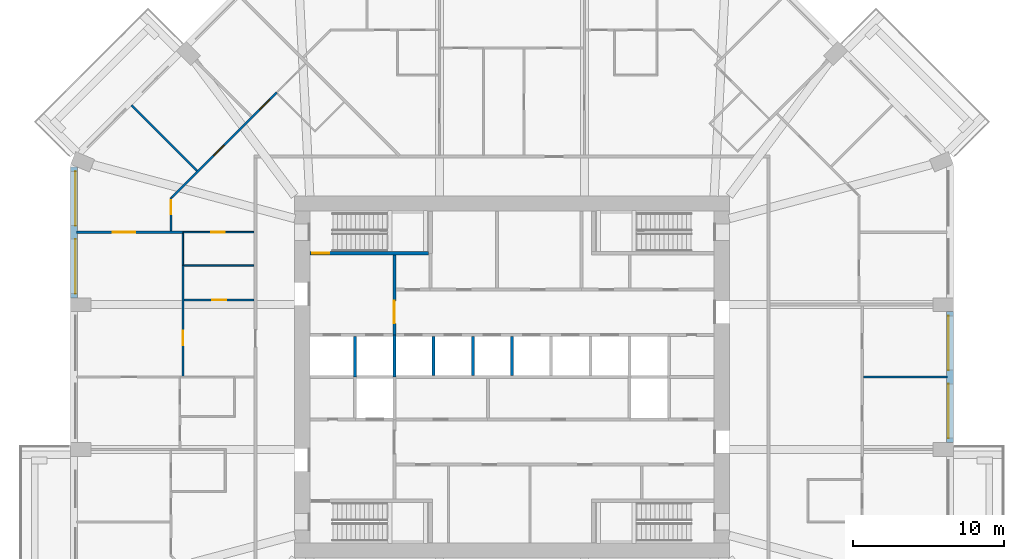
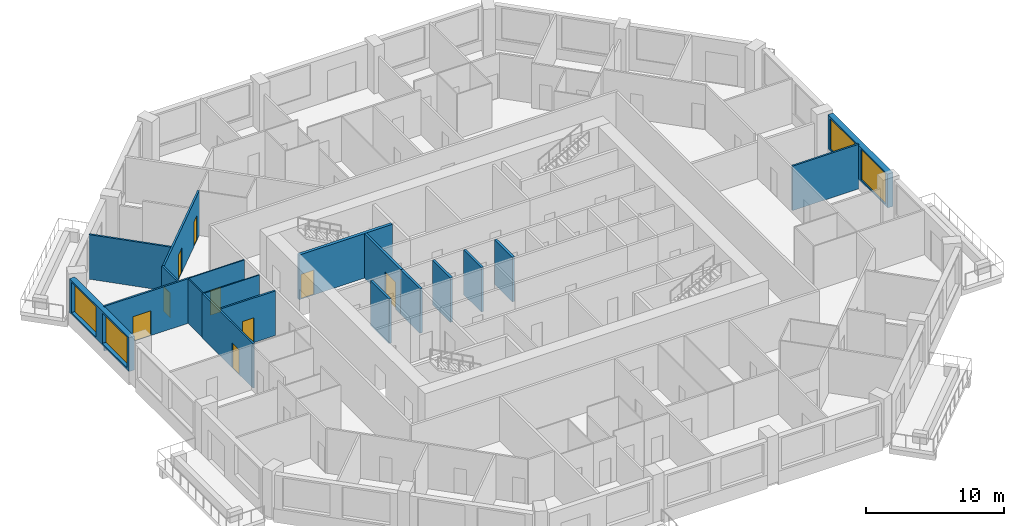
# One storey, part 7 of 13: 19 walls, 9 doors, 4 windows, 13 openings.
"""IFC4 building model written with IfcOpenShell, lengths in metres."""

from ifc_helpers import new_model, si_unit, direction, frame, frame_2d, origin, place, context, subcontext, project, spatial, rectangle, extrude, material, layer, layer_set, type_object, element, fill, save


model = new_model("IFC4")

# Units and contexts
model_context = context("Model", 3, precision=1e-05, world=origin(), true_north=direction((0.0, 1.0)))
body_context = subcontext(model_context, "Body", "Model", "MODEL_VIEW")
ifc_project = project(units=[si_unit("LENGTHUNIT", "METRE"), si_unit("AREAUNIT", "SQUARE_METRE"), si_unit("VOLUMEUNIT", "CUBIC_METRE"), si_unit("PLANEANGLEUNIT", "RADIAN"), si_unit("MASSUNIT", "GRAM", prefix="KILO")], contexts=[model_context])

# Site, building, storey
site_placement = place(None, origin())
site = spatial("IfcSite", under=ifc_project, at=site_placement, CompositionType="ELEMENT")
building_placement = place(site_placement, origin())
building = spatial("IfcBuilding", under=site, at=building_placement, Name="Msitu Wima Residences", CompositionType="ELEMENT")
storey_placement = place(building_placement, frame((0.0, 0.0, 88.5)))
storey = spatial("IfcBuildingStorey", under=building, at=storey_placement, Name="L20", CompositionType="ELEMENT", Elevation=88.5)

# Wall, openings, windows
ifc_material_1 = material(Name="Brick (red buff mix)", Category="masonry")
ifc_layer_1 = layer(ifc_material_1, 0.449951171875)
ifc_layer_set_1 = layer_set([ifc_layer_1], Name="Brick (red buff mix)")
wall_type_1 = type_object("IfcWallType", Name="Brick infill wall BW450", PredefinedType="SOLIDWALL", material=ifc_layer_set_1)
wall_1_placement = place(storey_placement, frame((29.02490234375, -4.35009765625, 0.89990234375), z_axis=(0.0, 0.0, 1.0), x_axis=(0.0, 1.0, 0.0)))
wall_1 = element("IfcWall", 1, at=wall_1_placement, inside=storey, type_object=wall_type_1, Name="Brick infill wall L20 E1", PredefinedType="SOLIDWALL", context=body_context, shape_type="SweptSolid", body=[
    extrude(rectangle(XDim=8.7001953125, YDim=0.449951171875, at=frame_2d((4.35009765625, 0.0))), origin(), (0.0, 0.0, 1.0), 3.0),
])
opening_1_placement = place(wall_1_placement, frame((0.300048828125, 0.0, 0.14990234375)))
opening_1 = element("IfcOpeningElement", 2, at=opening_1_placement, cuts=wall_1, Name="Opening W18-20.002", PredefinedType="OPENING", context=body_context, shape_type="SweptSolid", body=[
    extrude(rectangle(XDim=3.60009765625, YDim=2.699951171875, at=frame_2d((1.800048828125, 1.35009765625))), frame((0.0, 0.23486328125, 0.0), z_axis=(0.0, -1.0, 0.0), x_axis=(1.0, 0.0, 0.0)), (0.0, 0.0, 1.0), 0.469970703125),
])
opening_2_placement = place(wall_1_placement, frame((4.800048828125, 0.0, 0.14990234375)))
opening_2 = element("IfcOpeningElement", 3, at=opening_2_placement, cuts=wall_1, Name="Opening W18-20.003", PredefinedType="OPENING", context=body_context, shape_type="SweptSolid", body=[
    extrude(rectangle(XDim=3.60009765625, YDim=2.699951171875, at=frame_2d((1.800048828125, 1.35009765625))), frame((0.0, 0.23486328125, 0.0), z_axis=(0.0, -1.0, 0.0), x_axis=(1.0, 0.0, 0.0)), (0.0, 0.0, 1.0), 0.469970703125),
])
ifc_material_2 = material(Name="Anodised aluminium, bronze finish, clear low-emissivity double glazing", Category="aluminium")
window_type = type_object("IfcWindowType", Name="Window W3600x2700", PartitioningType="DOUBLE_PANEL_VERTICAL", PredefinedType="WINDOW", material=ifc_material_2)
window_1_placement = place(opening_1_placement, origin())
window_1 = element("IfcWindow", 4, at=window_1_placement, inside=storey, type_object=window_type, Name="Window L20 E1.1", OverallHeight=2.699951171875, OverallWidth=3.60009765625, PartitioningType="SINGLE_PANEL", PredefinedType="WINDOW", context=body_context, shape_type="SweptSolid", body=[
    extrude(rectangle(XDim=3.60009765625, YDim=2.699951171875, at=frame_2d((1.800048828125, 1.35009765625))), frame((0.0, 0.135009765625, 0.0), z_axis=(0.0, -1.0, 0.0), x_axis=(1.0, 0.0, 0.0)), (0.0, 0.0, 1.0), 0.06005859375),
])
fill(opening_1, window_1)
window_2_placement = place(opening_2_placement, origin())
window_2 = element("IfcWindow", 5, at=window_2_placement, inside=storey, type_object=window_type, Name="Window L20 E1.2", OverallHeight=2.699951171875, OverallWidth=3.60009765625, PartitioningType="SINGLE_PANEL", PredefinedType="WINDOW", context=body_context, shape_type="SweptSolid", body=[
    extrude(rectangle(XDim=3.60009765625, YDim=2.699951171875, at=frame_2d((1.800048828125, 1.35009765625))), frame((0.0, 0.135009765625, 0.0), z_axis=(0.0, -1.0, 0.0), x_axis=(1.0, 0.0, 0.0)), (0.0, 0.0, 1.0), 0.06005859375),
])
fill(opening_2, window_2)

wall_2_placement = place(storey_placement, frame((-29.02490234375, 13.912841796875, 0.89990234375), z_axis=(0.0, 0.0, 1.0), x_axis=(0.0, -1.0, 0.0)))
wall_2 = element("IfcWall", 6, at=wall_2_placement, inside=storey, type_object=wall_type_1, Name="Brick infill wall L20 W0", PredefinedType="SOLIDWALL", context=body_context, shape_type="SweptSolid", body=[
    extrude(rectangle(XDim=8.662841796875, YDim=0.449951171875, at=frame_2d((4.33154296875, 0.0))), origin(), (0.0, 0.0, 1.0), 3.0),
])
opening_3_placement = place(wall_2_placement, frame((0.281494140625, 0.0, 0.14990234375)))
opening_3 = element("IfcOpeningElement", 7, at=opening_3_placement, cuts=wall_2, Name="Opening W18-20.029", PredefinedType="OPENING", context=body_context, shape_type="SweptSolid", body=[
    extrude(rectangle(XDim=3.60009765625, YDim=2.699951171875, at=frame_2d((1.800048828125, 1.35009765625))), frame((0.0, 0.23486328125, 0.0), z_axis=(0.0, -1.0, 0.0), x_axis=(1.0, 0.0, 0.0)), (0.0, 0.0, 1.0), 0.469970703125),
])
opening_4_placement = place(wall_2_placement, frame((4.781494140625, 0.0, 0.14990234375)))
opening_4 = element("IfcOpeningElement", 8, at=opening_4_placement, cuts=wall_2, Name="Opening W18-20.030", PredefinedType="OPENING", context=body_context, shape_type="SweptSolid", body=[
    extrude(rectangle(XDim=3.60009765625, YDim=2.699951171875, at=frame_2d((1.800048828125, 1.35009765625))), frame((0.0, 0.23486328125, 0.0), z_axis=(0.0, -1.0, 0.0), x_axis=(1.0, 0.0, 0.0)), (0.0, 0.0, 1.0), 0.469970703125),
])
window_3_placement = place(opening_3_placement, origin())
window_3 = element("IfcWindow", 9, at=window_3_placement, inside=storey, type_object=window_type, Name="Window L20 W0.1", OverallHeight=2.699951171875, OverallWidth=3.60009765625, PartitioningType="SINGLE_PANEL", PredefinedType="WINDOW", context=body_context, shape_type="SweptSolid", body=[
    extrude(rectangle(XDim=3.60009765625, YDim=2.699951171875, at=frame_2d((1.800048828125, 1.35009765625))), frame((0.0, 0.135009765625, 0.0), z_axis=(0.0, -1.0, 0.0), x_axis=(1.0, 0.0, 0.0)), (0.0, 0.0, 1.0), 0.06005859375),
])
fill(opening_3, window_3)
window_4_placement = place(opening_4_placement, origin())
window_4 = element("IfcWindow", 10, at=window_4_placement, inside=storey, type_object=window_type, Name="Window L20 W0.2", OverallHeight=2.699951171875, OverallWidth=3.60009765625, PartitioningType="SINGLE_PANEL", PredefinedType="WINDOW", context=body_context, shape_type="SweptSolid", body=[
    extrude(rectangle(XDim=3.60009765625, YDim=2.699951171875, at=frame_2d((1.800048828125, 1.35009765625))), frame((0.0, 0.135009765625, 0.0), z_axis=(0.0, -1.0, 0.0), x_axis=(1.0, 0.0, 0.0)), (0.0, 0.0, 1.0), 0.06005859375),
])
fill(opening_4, window_4)

# Wall, opening, door
ifc_material_3 = material(Name="Plaster")
ifc_layer_2 = layer(ifc_material_3, 0.011962890625, Name="Plaster")
ifc_material_4 = material(Name="Concrete blockwork", Category="masonry")
ifc_layer_3 = layer(ifc_material_4, 0.176025390625, Name="Concrete blockwork")
ifc_layer_4 = layer(ifc_material_3, 0.011962890625, Name="Plaster")
ifc_layer_set_2 = layer_set([ifc_layer_2, ifc_layer_3, ifc_layer_4], Name="Concrete blockwork")
wall_type_2 = type_object("IfcWallType", Name="Corridor wall FW200", PredefinedType="PARTITIONING", material=ifc_layer_set_2)
wall_3_placement = place(storey_placement, frame((-7.800048828125, 2.800048828125, 0.0), z_axis=(0.0, 0.0, 1.0), x_axis=(0.0, 1.0, 0.0)))
wall_3 = element("IfcWall", 11, at=wall_3_placement, inside=storey, type_object=wall_type_2, Name="Corridor wall", PredefinedType="PARTITIONING", context=body_context, shape_type="SweptSolid", body=[
    extrude(rectangle(XDim=5.27490234375, YDim=0.199951171875, at=frame_2d((2.637451171875, 0.0))), origin(), (0.0, 0.0, 1.0), 3.949951171875),
])
opening_5_placement = place(wall_3_placement, frame((0.75, 0.0, 0.0)))
opening_5 = element("IfcOpeningElement", 12, at=opening_5_placement, cuts=wall_3, Name="Opening D18-20.013", PredefinedType="OPENING", context=body_context, shape_type="SweptSolid", body=[
    extrude(rectangle(XDim=1.5, YDim=2.39990234375, at=frame_2d((0.75, 1.199951171875))), frame((0.0, 0.10986328125, 0.0), z_axis=(0.0, -1.0, 0.0), x_axis=(1.0, 0.0, 0.0)), (0.0, 0.0, 1.0), 0.219970703125),
])
ifc_material_5 = material(Name="Steel framed glazed door, fire resisting", Category="steel")
door_type_1 = type_object("IfcDoorType", Name="Lobby door D07 1500x2400", OperationType="DOUBLE_DOOR_SINGLE_SWING", PredefinedType="DOOR", material=ifc_material_5)
door_1_placement = place(opening_5_placement, origin())
door_1 = element("IfcDoor", 13, at=door_1_placement, inside=storey, type_object=door_type_1, Name="Lobby door", OperationType="DOUBLE_DOOR_SINGLE_SWING", OverallHeight=2.39990234375, OverallWidth=1.5, PredefinedType="DOOR", context=body_context, shape_type="SweptSolid", body=[
    extrude(rectangle(XDim=1.5, YDim=2.39990234375, at=frame_2d((0.75, 1.199951171875))), frame((0.0, 0.02490234375, 0.0), z_axis=(0.0, -1.0, 0.0), x_axis=(1.0, 0.0, 0.0)), (0.0, 0.0, 1.0), 0.050048828125),
])
fill(opening_5, door_1)

ifc_layer_5 = layer(ifc_material_3, 0.011962890625, Name="Plaster")
ifc_layer_6 = layer(ifc_material_4, 0.1259765625, Name="Concrete blockwork")
ifc_layer_7 = layer(ifc_material_3, 0.011962890625, Name="Plaster")
ifc_layer_set_3 = layer_set([ifc_layer_5, ifc_layer_6, ifc_layer_7], Name="Concrete blockwork")
wall_type_3 = type_object("IfcWallType", Name="Partition PW150", PredefinedType="PARTITIONING", material=ifc_layer_set_3)
wall_4_placement = place(storey_placement, frame((-28.85498046875, 9.60009765625, 0.0), z_axis=(0.0, 0.0, 1.0), x_axis=(1.0, 0.0, 0.0)))
wall_4 = element("IfcWall", 14, at=wall_4_placement, inside=storey, type_object=wall_type_3, Name="Partition", PredefinedType="PARTITIONING", context=body_context, shape_type="SweptSolid", body=[
    extrude(rectangle(XDim=7.074951171875, YDim=0.14990234375, at=frame_2d((3.53759765625, 0.0))), origin(), (0.0, 0.0, 1.0), 3.949951171875),
])
opening_6_placement = place(wall_4_placement, frame((2.39990234375, 0.0, 0.0)))
opening_6 = element("IfcOpeningElement", 15, at=opening_6_placement, cuts=wall_4, Name="Opening D18-20.047", PredefinedType="OPENING", context=body_context, shape_type="SweptSolid", body=[
    extrude(rectangle(XDim=1.5, YDim=2.199951171875, at=frame_2d((0.75, 1.10009765625))), frame((0.0, 0.0849609375, 0.0), z_axis=(0.0, -1.0, 0.0), x_axis=(1.0, 0.0, 0.0)), (0.0, 0.0, 1.0), 0.169921875),
])
ifc_material_6 = material(Name="Timber double door", Category="wood")
door_type_2 = type_object("IfcDoorType", Name="Double door D04 1500x2200", OperationType="DOUBLE_DOOR_SINGLE_SWING", PredefinedType="DOOR", material=ifc_material_6)
door_2_placement = place(opening_6_placement, origin())
door_2 = element("IfcDoor", 16, at=door_2_placement, inside=storey, type_object=door_type_2, Name="Double door", OperationType="DOUBLE_DOOR_SINGLE_SWING", OverallHeight=2.199951171875, OverallWidth=1.5, PredefinedType="DOOR", context=body_context, shape_type="SweptSolid", body=[
    extrude(rectangle(XDim=1.5, YDim=2.199951171875, at=frame_2d((0.75, 1.10009765625))), frame((0.0, 0.02490234375, 0.0), z_axis=(0.0, -1.0, 0.0), x_axis=(1.0, 0.0, 0.0)), (0.0, 0.0, 1.0), 0.050048828125),
])
fill(opening_6, door_2)

# Wall
wall_5_placement = place(storey_placement, frame((-25.2177734375, 18.017578125, 0.0), z_axis=(0.0, 0.0, 1.0), x_axis=(0.707126629519, -0.707086932297, 0.0)))
element("IfcWall", 17, at=wall_5_placement, inside=storey, type_object=wall_type_3, Name="Partition", PredefinedType="PARTITIONING", context=body_context, shape_type="SweptSolid", body=[
    extrude(rectangle(XDim=6.150146484375, YDim=0.14990234375, at=frame_2d((3.0751953125, 0.0))), origin(), (0.0, 0.0, 1.0), 3.949951171875),
])

# Wall, opening, door
wall_6_placement = place(storey_placement, frame((-22.60009765625, 9.675048828125, 0.0), z_axis=(0.0, 0.0, 1.0), x_axis=(0.0, 1.0, 0.0)))
wall_6 = element("IfcWall", 18, at=wall_6_placement, inside=storey, type_object=wall_type_3, Name="Partition", PredefinedType="PARTITIONING", context=body_context, shape_type="SweptSolid", body=[
    extrude(rectangle(XDim=2.23193359375, YDim=0.14990234375, at=frame_2d((1.115966796875, 0.0))), origin(), (0.0, 0.0, 1.0), 3.949951171875),
])
opening_7_placement = place(wall_6_placement, frame((1.10009765625, 0.0, 0.0)))
opening_7 = element("IfcOpeningElement", 19, at=opening_7_placement, cuts=wall_6, Name="Opening D18-20.049", PredefinedType="OPENING", context=body_context, shape_type="SweptSolid", body=[
    extrude(rectangle(XDim=0.949951171875, YDim=2.199951171875, at=frame_2d((0.47509765625, 1.10009765625))), frame((0.0, 0.0849609375, 0.0), z_axis=(0.0, -1.0, 0.0), x_axis=(1.0, 0.0, 0.0)), (0.0, 0.0, 1.0), 0.169921875),
])
ifc_material_7 = material(Name="Timber flush door", Category="wood")
door_type_3 = type_object("IfcDoorType", Name="Room door D12 950x2200", OperationType="SINGLE_SWING_LEFT", PredefinedType="DOOR", material=ifc_material_7)
door_3_placement = place(opening_7_placement, origin())
door_3 = element("IfcDoor", 20, at=door_3_placement, inside=storey, type_object=door_type_3, Name="Room door", OperationType="SINGLE_SWING_LEFT", OverallHeight=2.199951171875, OverallWidth=0.949951171875, PredefinedType="DOOR", context=body_context, shape_type="SweptSolid", body=[
    extrude(rectangle(XDim=0.949951171875, YDim=2.199951171875, at=frame_2d((0.47509765625, 1.10009765625))), frame((0.0, 0.02490234375, 0.0), z_axis=(0.0, -1.0, 0.0), x_axis=(1.0, 0.0, 0.0)), (0.0, 0.0, 1.0), 0.050048828125),
])
fill(opening_7, door_3)

# Wall, openings, doors
wall_7_placement = place(storey_placement, frame((-22.546875, 11.885009765625, 0.0), z_axis=(0.0, 0.0, 1.0), x_axis=(0.707106781187, 0.707106781187, 0.0)))
wall_7 = element("IfcWall", 21, at=wall_7_placement, inside=storey, type_object=wall_type_3, Name="Partition", PredefinedType="PARTITIONING", context=body_context, shape_type="SweptSolid", body=[
    extrude(rectangle(XDim=9.85009765625, YDim=0.14990234375, at=frame_2d((4.925048828125, 0.0))), origin(), (0.0, 0.0, 1.0), 3.949951171875),
])
opening_8_placement = place(wall_7_placement, frame((3.949951171875, 0.0, 0.0)))
opening_8 = element("IfcOpeningElement", 22, at=opening_8_placement, cuts=wall_7, Name="Opening D18-20.050", PredefinedType="OPENING", context=body_context, shape_type="SweptSolid", body=[
    extrude(rectangle(XDim=0.949951171875, YDim=2.199951171875, at=frame_2d((0.47509765625, 1.10009765625))), frame((0.0, 0.0849609375, 0.0), z_axis=(0.0, -1.0, 0.0), x_axis=(1.0, 0.0, 0.0)), (0.0, 0.0, 1.0), 0.169921875),
])
opening_9_placement = place(wall_7_placement, frame((8.25, 0.0, 0.0)))
opening_9 = element("IfcOpeningElement", 23, at=opening_9_placement, cuts=wall_7, Name="Opening D18-20.051", PredefinedType="OPENING", context=body_context, shape_type="SweptSolid", body=[
    extrude(rectangle(XDim=0.949951171875, YDim=2.199951171875, at=frame_2d((0.47509765625, 1.10009765625))), frame((0.0, 0.0849609375, 0.0), z_axis=(0.0, -1.0, 0.0), x_axis=(1.0, 0.0, 0.0)), (0.0, 0.0, 1.0), 0.169921875),
])
door_4_placement = place(opening_8_placement, origin())
door_4 = element("IfcDoor", 24, at=door_4_placement, inside=storey, type_object=door_type_3, Name="Room door", OperationType="SINGLE_SWING_LEFT", OverallHeight=2.199951171875, OverallWidth=0.949951171875, PredefinedType="DOOR", context=body_context, shape_type="SweptSolid", body=[
    extrude(rectangle(XDim=0.949951171875, YDim=2.199951171875, at=frame_2d((0.47509765625, 1.10009765625))), frame((0.0, 0.02490234375, 0.0), z_axis=(0.0, -1.0, 0.0), x_axis=(1.0, 0.0, 0.0)), (0.0, 0.0, 1.0), 0.050048828125),
])
fill(opening_8, door_4)
door_5_placement = place(opening_9_placement, origin())
door_5 = element("IfcDoor", 25, at=door_5_placement, inside=storey, type_object=door_type_3, Name="Room door", OperationType="SINGLE_SWING_LEFT", OverallHeight=2.199951171875, OverallWidth=0.949951171875, PredefinedType="DOOR", context=body_context, shape_type="SweptSolid", body=[
    extrude(rectangle(XDim=0.949951171875, YDim=2.199951171875, at=frame_2d((0.47509765625, 1.10009765625))), frame((0.0, 0.02490234375, 0.0), z_axis=(0.0, -1.0, 0.0), x_axis=(1.0, 0.0, 0.0)), (0.0, 0.0, 1.0), 0.050048828125),
])
fill(opening_9, door_5)

# Wall, opening, door
wall_8_placement = place(storey_placement, frame((-21.800048828125, 0.050048828125, 0.0), z_axis=(0.0, 0.0, 1.0), x_axis=(0.0, 1.0, 0.0)))
wall_8 = element("IfcWall", 26, at=wall_8_placement, inside=storey, type_object=wall_type_3, Name="Partition", PredefinedType="PARTITIONING", context=body_context, shape_type="SweptSolid", body=[
    extrude(rectangle(XDim=7.369873046875, YDim=0.14990234375, at=frame_2d((3.68505859375, 0.0))), origin(), (0.0, 0.0, 1.0), 3.949951171875),
])
opening_10_placement = place(wall_8_placement, frame((2.050048828125, 0.0, 0.0)))
opening_10 = element("IfcOpeningElement", 27, at=opening_10_placement, cuts=wall_8, Name="Opening D18-20.045", PredefinedType="OPENING", context=body_context, shape_type="SweptSolid", body=[
    extrude(rectangle(XDim=0.949951171875, YDim=2.199951171875, at=frame_2d((0.47509765625, 1.10009765625))), frame((0.0, 0.0849609375, 0.0), z_axis=(0.0, -1.0, 0.0), x_axis=(1.0, 0.0, 0.0)), (0.0, 0.0, 1.0), 0.169921875),
])
door_6_placement = place(opening_10_placement, origin())
door_6 = element("IfcDoor", 28, at=door_6_placement, inside=storey, type_object=door_type_3, Name="Room door", OperationType="SINGLE_SWING_LEFT", OverallHeight=2.199951171875, OverallWidth=0.949951171875, PredefinedType="DOOR", context=body_context, shape_type="SweptSolid", body=[
    extrude(rectangle(XDim=0.949951171875, YDim=2.199951171875, at=frame_2d((0.47509765625, 1.10009765625))), frame((0.0, 0.02490234375, 0.0), z_axis=(0.0, -1.0, 0.0), x_axis=(1.0, 0.0, 0.0)), (0.0, 0.0, 1.0), 0.050048828125),
])
fill(opening_10, door_6)

wall_9_placement = place(storey_placement, frame((-21.72509765625, 5.10009765625, 0.0), z_axis=(0.0, 0.0, 1.0), x_axis=(1.0, 0.0, 0.0)))
wall_9 = element("IfcWall", 29, at=wall_9_placement, inside=storey, type_object=wall_type_3, Name="Partition", PredefinedType="PARTITIONING", context=body_context, shape_type="SweptSolid", body=[
    extrude(rectangle(XDim=4.625, YDim=0.14990234375, at=frame_2d((2.3125, 0.0))), origin(), (0.0, 0.0, 1.0), 3.949951171875),
])
opening_11_placement = place(wall_9_placement, frame((1.85009765625, 0.0, 0.0)))
opening_11 = element("IfcOpeningElement", 30, at=opening_11_placement, cuts=wall_9, Name="Opening D18-20.046", PredefinedType="OPENING", context=body_context, shape_type="SweptSolid", body=[
    extrude(rectangle(XDim=0.949951171875, YDim=2.199951171875, at=frame_2d((0.47509765625, 1.10009765625))), frame((0.0, 0.0849609375, 0.0), z_axis=(0.0, -1.0, 0.0), x_axis=(1.0, 0.0, 0.0)), (0.0, 0.0, 1.0), 0.169921875),
])
door_7_placement = place(opening_11_placement, origin())
door_7 = element("IfcDoor", 31, at=door_7_placement, inside=storey, type_object=door_type_3, Name="Room door", OperationType="SINGLE_SWING_RIGHT", OverallHeight=2.199951171875, OverallWidth=0.949951171875, PredefinedType="DOOR", context=body_context, shape_type="SweptSolid", body=[
    extrude(rectangle(XDim=0.949951171875, YDim=2.199951171875, at=frame_2d((0.47509765625, 1.10009765625))), frame((0.0, 0.02490234375, 0.0), z_axis=(0.0, -1.0, 0.0), x_axis=(1.0, 0.0, 0.0)), (0.0, 0.0, 1.0), 0.050048828125),
])
fill(opening_11, door_7)

# Walls
wall_10_placement = place(storey_placement, frame((23.27490234375, 0.0, 0.0), z_axis=(0.0, 0.0, 1.0), x_axis=(1.0, 0.0, 0.0)))
element("IfcWall", 32, at=wall_10_placement, inside=storey, type_object=wall_type_3, Name="Partition", PredefinedType="PARTITIONING", context=body_context, shape_type="SweptSolid", body=[
    extrude(rectangle(XDim=5.580078125, YDim=0.14990234375, at=frame_2d((2.7900390625, 0.0))), origin(), (0.0, 0.0, 1.0), 3.949951171875),
])
ifc_material_8 = material(Name="Fire-rated board")
ifc_layer_8 = layer(ifc_material_8, 0.02490234375, Name="Fire-rated board")
ifc_material_9 = material(Name="Light-gauge stud framing with mineral wool")
ifc_layer_9 = layer(ifc_material_9, 0.14990234375, Name="Light-gauge stud framing with mineral wool")
ifc_layer_10 = layer(ifc_material_8, 0.02490234375, Name="Fire-rated board")
ifc_layer_set_4 = layer_set([ifc_layer_8, ifc_layer_9, ifc_layer_10], Name="Light-gauge stud framing with mineral wool")
wall_type_4 = type_object("IfcWallType", Name="Shaft wall SH200", PredefinedType="PARTITIONING", material=ifc_layer_set_4)
wall_11_placement = place(storey_placement, frame((-10.39990234375, 0.0, 0.0), z_axis=(0.0, 0.0, 1.0), x_axis=(0.0, 1.0, 0.0)))
element("IfcWall", 33, at=wall_11_placement, inside=storey, type_object=wall_type_4, Name="Shaft wall", PredefinedType="PARTITIONING", context=body_context, shape_type="SweptSolid", body=[
    extrude(rectangle(XDim=2.699951171875, YDim=0.199951171875, at=frame_2d((1.35009765625, 0.0))), origin(), (0.0, 0.0, 1.0), 3.949951171875),
])
wall_12_placement = place(storey_placement, frame((-7.800048828125, 0.0, 0.0), z_axis=(0.0, 0.0, 1.0), x_axis=(0.0, 1.0, 0.0)))
element("IfcWall", 34, at=wall_12_placement, inside=storey, type_object=wall_type_4, Name="Shaft wall", PredefinedType="PARTITIONING", context=body_context, shape_type="SweptSolid", body=[
    extrude(rectangle(XDim=2.800048828125, YDim=0.199951171875, at=frame_2d((1.39990234375, 0.0))), origin(), (0.0, 0.0, 1.0), 3.949951171875),
])
for number, where, z_axis, x_axis, name in (
    (35, (-5.199951171875, 0.10009765625, 0.0), (0.0, 0.0, 1.0), (0.0, 1.0, 0.0), "Shaft wall"),
    (36, (-2.60009765625, 0.10009765625, 0.0), (0.0, 0.0, 1.0), (0.0, 1.0, 0.0), "Shaft wall"),
    (37, (0.0, 0.10009765625, 0.0), (0.0, 0.0, 1.0), (0.0, 1.0, 0.0), "Shaft wall"),
):
    element("IfcWall", number, at=place(storey_placement, frame(where, z_axis=z_axis, x_axis=x_axis)), inside=storey, type_object=wall_type_4, Name=name, PredefinedType="PARTITIONING", context=body_context, shape_type="SweptSolid", body=[
        extrude(rectangle(XDim=2.599853515625, YDim=0.199951171875, at=frame_2d((1.2998046875, 0.0))), origin(), (0.0, 0.0, 1.0), 3.949951171875),
    ])

# Wall, opening, door
ifc_material_10 = material(Name="Concrete C50/60", Category="concrete")
ifc_layer_11 = layer(ifc_material_10, 0.25)
ifc_layer_set_5 = layer_set([ifc_layer_11], Name="Concrete C50/60")
wall_type_5 = type_object("IfcWallType", Name="Stair enclosure wall SW250", PredefinedType="SHEAR", material=ifc_layer_set_5)
wall_13_placement = place(storey_placement, frame((-13.3701171875, 8.199951171875, 0.0), z_axis=(0.0, 0.0, 1.0), x_axis=(1.0, 0.0, 0.0)))
wall_13 = element("IfcWall", 38, at=wall_13_placement, inside=storey, type_object=wall_type_5, Name="Stair enclosure wall", PredefinedType="SHEAR", context=body_context, shape_type="SweptSolid", body=[
    extrude(rectangle(XDim=7.84521484375, YDim=0.25, at=frame_2d((3.922607421875, 0.0))), origin(), (0.0, 0.0, 1.0), 3.949951171875),
])
opening_12_placement = place(wall_13_placement, frame((0.14990234375, 0.0, 0.0)))
opening_12 = element("IfcOpeningElement", 39, at=opening_12_placement, cuts=wall_13, Name="Opening D18-20.032", PredefinedType="OPENING", context=body_context, shape_type="SweptSolid", body=[
    extrude(rectangle(XDim=1.10009765625, YDim=2.199951171875, at=frame_2d((0.550048828125, 1.10009765625))), frame((0.0, 0.135009765625, 0.0), z_axis=(0.0, -1.0, 0.0), x_axis=(1.0, 0.0, 0.0)), (0.0, 0.0, 1.0), 0.27001953125),
])
ifc_material_11 = material(Name="Steel door, fire resisting, panic bar", Category="steel")
door_type_4 = type_object("IfcDoorType", Name="Stair door D06 1100x2200", OperationType="SINGLE_SWING_LEFT", PredefinedType="DOOR", material=ifc_material_11)
door_8_placement = place(opening_12_placement, origin())
door_8 = element("IfcDoor", 40, at=door_8_placement, inside=storey, type_object=door_type_4, Name="Stair door", OperationType="SINGLE_SWING_LEFT", OverallHeight=2.199951171875, OverallWidth=1.10009765625, PredefinedType="DOOR", context=body_context, shape_type="SweptSolid", body=[
    extrude(rectangle(XDim=1.10009765625, YDim=2.199951171875, at=frame_2d((0.550048828125, 1.10009765625))), frame((0.0, 0.02490234375, 0.0), z_axis=(0.0, -1.0, 0.0), x_axis=(1.0, 0.0, 0.0)), (0.0, 0.0, 1.0), 0.050048828125),
])
fill(opening_12, door_8)

ifc_material_12 = material(Name="Ceramic tiles")
ifc_layer_12 = layer(ifc_material_12, 0.008056640625, Name="Ceramic tiles")
ifc_material_13 = material(Name="Moisture-resistant board")
ifc_layer_13 = layer(ifc_material_13, 0.012451171875, Name="Moisture-resistant board")
ifc_layer_14 = layer(ifc_material_9, 0.06689453125, Name="Light-gauge stud framing with mineral wool")
ifc_layer_15 = layer(ifc_material_13, 0.012451171875, Name="Moisture-resistant board")
ifc_layer_set_6 = layer_set([ifc_layer_12, ifc_layer_13, ifc_layer_14, ifc_layer_15], Name="Light-gauge stud framing with mineral wool")
wall_type_6 = type_object("IfcWallType", Name="Wet wall PW100", PredefinedType="PARTITIONING", material=ifc_layer_set_6)
wall_14_placement = place(storey_placement, frame((-21.780029296875, 9.60009765625, 0.0), z_axis=(0.0, 0.0, 1.0), x_axis=(1.0, 0.0, 0.0)))
wall_14 = element("IfcWall", 41, at=wall_14_placement, inside=storey, type_object=wall_type_6, Name="Wet wall", PredefinedType="PARTITIONING", context=body_context, shape_type="SweptSolid", body=[
    extrude(rectangle(XDim=4.679931640625, YDim=0.10009765625, at=frame_2d((2.33984375, 0.0))), origin(), (0.0, 0.0, 1.0), 3.949951171875),
])
opening_13_placement = place(wall_14_placement, frame((1.85009765625, 0.0, 0.0)))
opening_13 = element("IfcOpeningElement", 42, at=opening_13_placement, cuts=wall_14, Name="Opening D18-20.053", PredefinedType="OPENING", context=body_context, shape_type="SweptSolid", body=[
    extrude(rectangle(XDim=0.89990234375, YDim=2.199951171875, at=frame_2d((0.449951171875, 1.10009765625))), frame((0.0, 0.06005859375, 0.0), z_axis=(0.0, -1.0, 0.0), x_axis=(1.0, 0.0, 0.0)), (0.0, 0.0, 1.0), 0.1201171875),
])
ifc_material_14 = material(Name="Timber flush door, moisture resistant", Category="wood")
door_type_5 = type_object("IfcDoorType", Name="Bathroom door D03 900x2200", OperationType="SINGLE_SWING_LEFT", PredefinedType="DOOR", material=ifc_material_14)
door_9_placement = place(opening_13_placement, origin())
door_9 = element("IfcDoor", 43, at=door_9_placement, inside=storey, type_object=door_type_5, Name="Bathroom door", OperationType="SINGLE_SWING_RIGHT", OverallHeight=2.199951171875, OverallWidth=0.89990234375, PredefinedType="DOOR", context=body_context, shape_type="SweptSolid", body=[
    extrude(rectangle(XDim=0.89990234375, YDim=2.199951171875, at=frame_2d((0.449951171875, 1.10009765625))), frame((0.0, 0.02490234375, 0.0), z_axis=(0.0, -1.0, 0.0), x_axis=(1.0, 0.0, 0.0)), (0.0, 0.0, 1.0), 0.050048828125),
])
fill(opening_13, door_9)

# Walls
wall_15_placement = place(storey_placement, frame((-21.800048828125, 7.419921875, 0.0), z_axis=(0.0, 0.0, 1.0), x_axis=(0.0, 1.0, 0.0)))
element("IfcWall", 44, at=wall_15_placement, inside=storey, type_object=wall_type_6, Name="Wet wall", PredefinedType="PARTITIONING", context=body_context, shape_type="SweptSolid", body=[
    extrude(rectangle(XDim=2.10498046875, YDim=0.10009765625, at=frame_2d((1.052490234375, 0.0))), origin(), (0.0, 0.0, 1.0), 3.949951171875),
])
wall_16_placement = place(storey_placement, frame((-21.72509765625, 7.39990234375, 0.0), z_axis=(0.0, 0.0, 1.0), x_axis=(1.0, 0.0, 0.0)))
element("IfcWall", 45, at=wall_16_placement, inside=storey, type_object=wall_type_6, Name="Wet wall", PredefinedType="PARTITIONING", context=body_context, shape_type="SweptSolid", body=[
    extrude(rectangle(XDim=4.625, YDim=0.10009765625, at=frame_2d((2.3125, 0.0))), origin(), (0.0, 0.0, 1.0), 3.949951171875),
])

save(model, "model.ifc")
